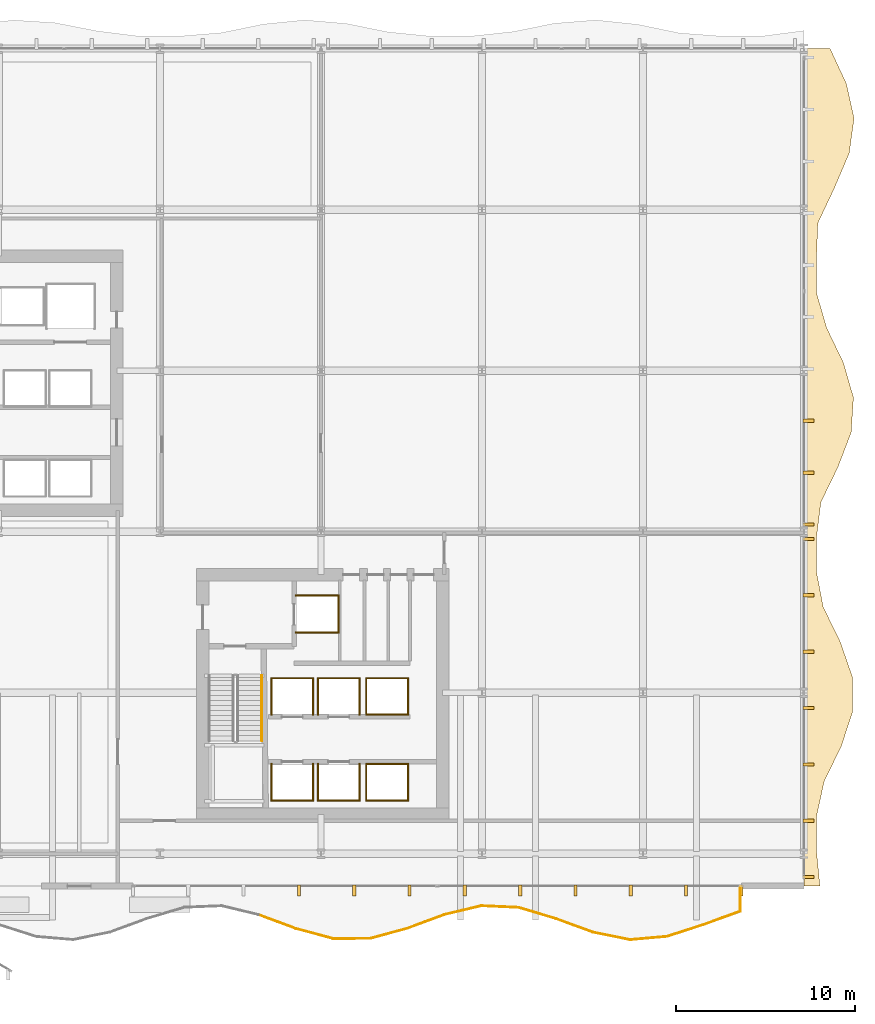
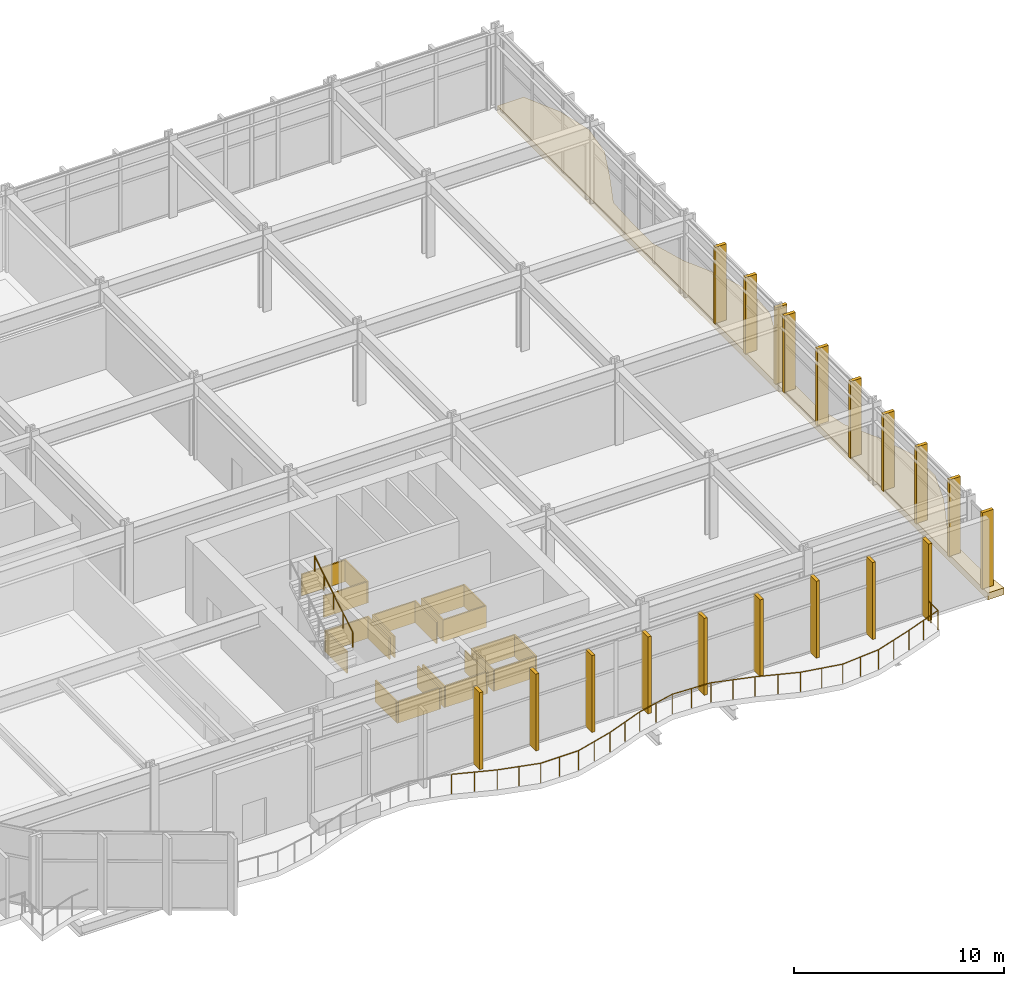
# One storey, part 26 of 29: 43 coverings, 15 railings.
"""IFC4 building model written with IfcOpenShell, lengths in metres."""

from ifc_helpers import new_model, si_unit, direction, frame, origin, origin_2d, place, context, subcontext, project, spatial, polyline, rectangle, circle, outline, extrude, material, layer, layer_set, type_object, element, save


model = new_model("IFC4")

# Units and contexts
model_context = context("Model", 3, precision=1e-05, world=origin(), true_north=direction((0.0, 1.0)))
body_context = subcontext(model_context, "Body", "Model", "MODEL_VIEW")
ifc_project = project(units=[si_unit("LENGTHUNIT", "METRE"), si_unit("AREAUNIT", "SQUARE_METRE"), si_unit("VOLUMEUNIT", "CUBIC_METRE"), si_unit("PLANEANGLEUNIT", "RADIAN"), si_unit("MASSUNIT", "GRAM", prefix="KILO")], contexts=[model_context])

# Site, building, storey
site_placement = place(None, origin())
site = spatial("IfcSite", under=ifc_project, at=site_placement, CompositionType="ELEMENT")
building_placement = place(site_placement, origin())
building = spatial("IfcBuilding", under=site, at=building_placement, Name="Solvaryn Broadcast Tower", CompositionType="ELEMENT")
storey_placement = place(building_placement, frame((0.0, 0.0, 21.199951171875)))
storey = spatial("IfcBuildingStorey", under=building, at=storey_placement, Name="L04", CompositionType="ELEMENT", Elevation=21.199951171875)

# Coverings
ifc_material_1 = material(Name="Fire-Rated Gypsum Shaftwall Liner", Category="concrete")
ifc_layer_1 = layer(ifc_material_1, 0.080078125)
ifc_layer_set_1 = layer_set([ifc_layer_1], Name="CV-SHAFT-LINER")
covering_type_1 = type_object("IfcCoveringType", Name="CV-SHAFT-LINER", PredefinedType="CLADDING", material=ifc_layer_set_1)
for number, where, z_axis, x_axis, name in (
    (1, (35.800048828125, 23.43994140625, 0.0), (0.0, 0.0, 1.0), (1.0, 0.0, 0.0), "L04 FL2 Hoistway Shaft Liner North"),
    (2, (35.800048828125, 21.360107421875, 0.0), (0.0, 0.0, 1.0), (1.0, 0.0, 0.0), "L04 FL2 Hoistway Shaft Liner South"),
):
    element("IfcCovering", number, at=place(storey_placement, frame(where, z_axis=z_axis, x_axis=x_axis)), inside=storey, type_object=covering_type_1, Name=name, PredefinedType="CLADDING", context=body_context, shape_type="SweptSolid", body=[
        extrude(rectangle(XDim=2.4599609375, YDim=0.080078125, at=origin_2d()), origin(), (0.0, 0.0, 1.0), 1.25),
    ])
covering_1_placement = place(storey_placement, frame((36.989990234375, 22.39990234375, 0.0), z_axis=(0.0, 0.0, 1.0), x_axis=(1.0, 0.0, 0.0)))
element("IfcCovering", 3, at=covering_1_placement, inside=storey, type_object=covering_type_1, Name="L04 FL2 Hoistway Shaft Liner East", PredefinedType="CLADDING", context=body_context, shape_type="SweptSolid", body=[
    extrude(rectangle(XDim=0.080078125, YDim=2.159912109375, at=origin_2d()), origin(), (0.0, 0.0, 1.0), 1.25),
])
covering_2_placement = place(storey_placement, frame((34.39990234375, 11.985107421875, 0.0), z_axis=(0.0, 0.0, 1.0), x_axis=(1.0, 0.0, 0.0)))
element("IfcCovering", 4, at=covering_2_placement, inside=storey, type_object=covering_type_1, Name="L04 PL1 Hoistway Shaft Liner South", PredefinedType="CLADDING", context=body_context, shape_type="SweptSolid", body=[
    extrude(rectangle(XDim=2.409912109375, YDim=0.080078125, at=origin_2d()), origin(), (0.0, 0.0, 1.0), 1.25),
])
for number, where, z_axis, x_axis, name in (
    (5, (35.56494140625, 13.0, 0.0), (0.0, 0.0, 1.0), (1.0, 0.0, 0.0), "L04 PL1 Hoistway Shaft Liner East"),
    (6, (33.235107421875, 13.0, 0.0), (0.0, 0.0, 1.0), (1.0, 0.0, 0.0), "L04 PL1 Hoistway Shaft Liner West"),
):
    element("IfcCovering", number, at=place(storey_placement, frame(where, z_axis=z_axis, x_axis=x_axis)), inside=storey, type_object=covering_type_1, Name=name, PredefinedType="CLADDING", context=body_context, shape_type="SweptSolid", body=[
        extrude(rectangle(XDim=0.080078125, YDim=2.110107421875, at=origin_2d()), origin(), (0.0, 0.0, 1.0), 1.25),
    ])
covering_3_placement = place(storey_placement, frame((37.0, 11.985107421875, 0.0), z_axis=(0.0, 0.0, 1.0), x_axis=(1.0, 0.0, 0.0)))
element("IfcCovering", 7, at=covering_3_placement, inside=storey, type_object=covering_type_1, Name="L04 PL2 Hoistway Shaft Liner South", PredefinedType="CLADDING", context=body_context, shape_type="SweptSolid", body=[
    extrude(rectangle(XDim=2.409912109375, YDim=0.080078125, at=origin_2d()), origin(), (0.0, 0.0, 1.0), 1.25),
])
for number, where, z_axis, x_axis, name in (
    (8, (38.1650390625, 13.0, 0.0), (0.0, 0.0, 1.0), (1.0, 0.0, 0.0), "L04 PL2 Hoistway Shaft Liner East"),
    (9, (35.8349609375, 13.0, 0.0), (0.0, 0.0, 1.0), (1.0, 0.0, 0.0), "L04 PL2 Hoistway Shaft Liner West"),
):
    element("IfcCovering", number, at=place(storey_placement, frame(where, z_axis=z_axis, x_axis=x_axis)), inside=storey, type_object=covering_type_1, Name=name, PredefinedType="CLADDING", context=body_context, shape_type="SweptSolid", body=[
        extrude(rectangle(XDim=0.080078125, YDim=2.110107421875, at=origin_2d()), origin(), (0.0, 0.0, 1.0), 1.25),
    ])
covering_4_placement = place(storey_placement, frame((34.39990234375, 18.81494140625, 0.0), z_axis=(0.0, 0.0, 1.0), x_axis=(1.0, 0.0, 0.0)))
element("IfcCovering", 10, at=covering_4_placement, inside=storey, type_object=covering_type_1, Name="L04 PL3 Hoistway Shaft Liner North", PredefinedType="CLADDING", context=body_context, shape_type="SweptSolid", body=[
    extrude(rectangle(XDim=2.409912109375, YDim=0.080078125, at=origin_2d()), origin(), (0.0, 0.0, 1.0), 1.25),
])
for number, where, z_axis, x_axis, name in (
    (11, (35.56494140625, 17.800048828125, 0.0), (0.0, 0.0, 1.0), (1.0, 0.0, 0.0), "L04 PL3 Hoistway Shaft Liner East"),
    (12, (33.235107421875, 17.800048828125, 0.0), (0.0, 0.0, 1.0), (1.0, 0.0, 0.0), "L04 PL3 Hoistway Shaft Liner West"),
):
    element("IfcCovering", number, at=place(storey_placement, frame(where, z_axis=z_axis, x_axis=x_axis)), inside=storey, type_object=covering_type_1, Name=name, PredefinedType="CLADDING", context=body_context, shape_type="SweptSolid", body=[
        extrude(rectangle(XDim=0.080078125, YDim=2.110107421875, at=origin_2d()), origin(), (0.0, 0.0, 1.0), 1.25),
    ])
covering_5_placement = place(storey_placement, frame((37.0, 18.81494140625, 0.0), z_axis=(0.0, 0.0, 1.0), x_axis=(1.0, 0.0, 0.0)))
element("IfcCovering", 13, at=covering_5_placement, inside=storey, type_object=covering_type_1, Name="L04 PL4 Hoistway Shaft Liner North", PredefinedType="CLADDING", context=body_context, shape_type="SweptSolid", body=[
    extrude(rectangle(XDim=2.409912109375, YDim=0.080078125, at=origin_2d()), origin(), (0.0, 0.0, 1.0), 1.25),
])
for number, where, z_axis, x_axis, name in (
    (14, (38.1650390625, 17.800048828125, 0.0), (0.0, 0.0, 1.0), (1.0, 0.0, 0.0), "L04 PL4 Hoistway Shaft Liner East"),
    (15, (35.8349609375, 17.800048828125, 0.0), (0.0, 0.0, 1.0), (1.0, 0.0, 0.0), "L04 PL4 Hoistway Shaft Liner West"),
):
    element("IfcCovering", number, at=place(storey_placement, frame(where, z_axis=z_axis, x_axis=x_axis)), inside=storey, type_object=covering_type_1, Name=name, PredefinedType="CLADDING", context=body_context, shape_type="SweptSolid", body=[
        extrude(rectangle(XDim=0.080078125, YDim=2.110107421875, at=origin_2d()), origin(), (0.0, 0.0, 1.0), 1.25),
    ])
for number, where, z_axis, x_axis, name in (
    (16, (39.699951171875, 14.014892578125, 0.0), (0.0, 0.0, 1.0), (1.0, 0.0, 0.0), "L04 PM1 Hoistway Shaft Liner North"),
    (17, (39.699951171875, 11.985107421875, 0.0), (0.0, 0.0, 1.0), (1.0, 0.0, 0.0), "L04 PM1 Hoistway Shaft Liner South"),
):
    element("IfcCovering", number, at=place(storey_placement, frame(where, z_axis=z_axis, x_axis=x_axis)), inside=storey, type_object=covering_type_1, Name=name, PredefinedType="CLADDING", context=body_context, shape_type="SweptSolid", body=[
        extrude(rectangle(XDim=2.409912109375, YDim=0.080078125, at=origin_2d()), origin(), (0.0, 0.0, 1.0), 1.25),
    ])
for number, where, z_axis, x_axis, name in (
    (18, (40.864990234375, 13.0, 0.0), (0.0, 0.0, 1.0), (1.0, 0.0, 0.0), "L04 PM1 Hoistway Shaft Liner East"),
    (19, (38.534912109375, 13.0, 0.0), (0.0, 0.0, 1.0), (1.0, 0.0, 0.0), "L04 PM1 Hoistway Shaft Liner West"),
):
    element("IfcCovering", number, at=place(storey_placement, frame(where, z_axis=z_axis, x_axis=x_axis)), inside=storey, type_object=covering_type_1, Name=name, PredefinedType="CLADDING", context=body_context, shape_type="SweptSolid", body=[
        extrude(rectangle(XDim=0.080078125, YDim=2.110107421875, at=origin_2d()), origin(), (0.0, 0.0, 1.0), 1.25),
    ])
for number, where, z_axis, x_axis, name in (
    (20, (39.699951171875, 18.81494140625, 0.0), (0.0, 0.0, 1.0), (1.0, 0.0, 0.0), "L04 PM2 Hoistway Shaft Liner North"),
    (21, (39.699951171875, 16.784912109375, 0.0), (0.0, 0.0, 1.0), (1.0, 0.0, 0.0), "L04 PM2 Hoistway Shaft Liner South"),
):
    element("IfcCovering", number, at=place(storey_placement, frame(where, z_axis=z_axis, x_axis=x_axis)), inside=storey, type_object=covering_type_1, Name=name, PredefinedType="CLADDING", context=body_context, shape_type="SweptSolid", body=[
        extrude(rectangle(XDim=2.409912109375, YDim=0.080078125, at=origin_2d()), origin(), (0.0, 0.0, 1.0), 1.25),
    ])
for number, where, z_axis, x_axis, name in (
    (22, (40.864990234375, 17.800048828125, 0.0), (0.0, 0.0, 1.0), (1.0, 0.0, 0.0), "L04 PM2 Hoistway Shaft Liner East"),
    (23, (38.534912109375, 17.800048828125, 0.0), (0.0, 0.0, 1.0), (1.0, 0.0, 0.0), "L04 PM2 Hoistway Shaft Liner West"),
):
    element("IfcCovering", number, at=place(storey_placement, frame(where, z_axis=z_axis, x_axis=x_axis)), inside=storey, type_object=covering_type_1, Name=name, PredefinedType="CLADDING", context=body_context, shape_type="SweptSolid", body=[
        extrude(rectangle(XDim=0.080078125, YDim=2.110107421875, at=origin_2d()), origin(), (0.0, 0.0, 1.0), 1.25),
    ])
ifc_material_2 = material(Name="Extruded Architectural Terracotta Fin", Category="masonry")
ifc_layer_2 = layer(ifc_material_2, 0.179931640625)
ifc_layer_set_2 = layer_set([ifc_layer_2], Name="CV-TC-FIN")
covering_type_2 = type_object("IfcCoveringType", Name="CV-TC-FIN", PredefinedType="USERDEFINED", material=ifc_layer_set_2)
for number, where, z_axis, x_axis, name in (
    (24, (59.5, 6.949951171875, 0.0), (0.0, 0.0, 1.0), (1.0, 0.0, 0.0), "L04 Terracotta Vertical Fin FIN-POD-L04-S1-00"),
    (25, (56.4091796875, 6.949951171875, 0.0), (0.0, 0.0, 1.0), (1.0, 0.0, 0.0), "L04 Terracotta Vertical Fin FIN-POD-L04-S1-01"),
    (26, (53.318115234375, 6.949951171875, 0.0), (0.0, 0.0, 1.0), (1.0, 0.0, 0.0), "L04 Terracotta Vertical Fin FIN-POD-L04-S1-02"),
    (27, (50.227294921875, 6.949951171875, 0.0), (0.0, 0.0, 1.0), (1.0, 0.0, 0.0), "L04 Terracotta Vertical Fin FIN-POD-L04-S1-03"),
    (28, (47.136474609375, 6.949951171875, 0.0), (0.0, 0.0, 1.0), (1.0, 0.0, 0.0), "L04 Terracotta Vertical Fin FIN-POD-L04-S1-04"),
    (29, (44.04541015625, 6.949951171875, 0.0), (0.0, 0.0, 1.0), (1.0, 0.0, 0.0), "L04 Terracotta Vertical Fin FIN-POD-L04-S1-05"),
    (30, (40.95458984375, 6.949951171875, 0.0), (0.0, 0.0, 1.0), (1.0, 0.0, 0.0), "L04 Terracotta Vertical Fin FIN-POD-L04-S1-06"),
    (31, (37.863525390625, 6.949951171875, 0.0), (0.0, 0.0, 1.0), (1.0, 0.0, 0.0), "L04 Terracotta Vertical Fin FIN-POD-L04-S1-07"),
    (32, (34.772705078125, 6.949951171875, 0.0), (0.0, 0.0, 1.0), (1.0, 0.0, 0.0), "L04 Terracotta Vertical Fin FIN-POD-L04-S1-08"),
):
    element("IfcCovering", number, at=place(storey_placement, frame(where, z_axis=z_axis, x_axis=x_axis)), inside=storey, type_object=covering_type_2, Name=name, ObjectType="FIN", PredefinedType="USERDEFINED", context=body_context, shape_type="SweptSolid", body=[
        extrude(rectangle(XDim=0.179931640625, YDim=0.6201171875, at=origin_2d()), origin(), (0.0, 0.0, 1.0), 4.47998046875),
    ])
for number, where, z_axis, x_axis, name in (
    (33, (63.25, 33.199951171875, 0.0), (0.0, 0.0, 1.0), (1.0, 0.0, 0.0), "L04 Terracotta Vertical Fin FIN-POD-L04-E1-07"),
    (34, (63.25, 30.300048828125, 0.0), (0.0, 0.0, 1.0), (1.0, 0.0, 0.0), "L04 Terracotta Vertical Fin FIN-POD-L04-E1-08"),
    (35, (63.25, 27.39990234375, 0.0), (0.0, 0.0, 1.0), (1.0, 0.0, 0.0), "L04 Terracotta Vertical Fin FIN-POD-L04-E1-09"),
    (36, (63.25, 26.60009765625, 0.0), (0.0, 0.0, 1.0), (1.0, 0.0, 0.0), "L04 Terracotta Vertical Fin FIN-POD-L04-E2-00"),
    (37, (63.25, 23.449951171875, 0.0), (0.0, 0.0, 1.0), (1.0, 0.0, 0.0), "L04 Terracotta Vertical Fin FIN-POD-L04-E2-01"),
    (38, (63.25, 20.300048828125, 0.0), (0.0, 0.0, 1.0), (1.0, 0.0, 0.0), "L04 Terracotta Vertical Fin FIN-POD-L04-E2-02"),
    (39, (63.25, 17.14990234375, 0.0), (0.0, 0.0, 1.0), (1.0, 0.0, 0.0), "L04 Terracotta Vertical Fin FIN-POD-L04-E2-03"),
    (40, (63.25, 14.0, 0.0), (0.0, 0.0, 1.0), (1.0, 0.0, 0.0), "L04 Terracotta Vertical Fin FIN-POD-L04-E2-04"),
    (41, (63.25, 10.85009765625, 0.0), (0.0, 0.0, 1.0), (1.0, 0.0, 0.0), "L04 Terracotta Vertical Fin FIN-POD-L04-E2-05"),
    (42, (63.25, 7.699951171875, 0.0), (0.0, 0.0, 1.0), (1.0, 0.0, 0.0), "L04 Terracotta Vertical Fin FIN-POD-L04-E2-06"),
):
    element("IfcCovering", number, at=place(storey_placement, frame(where, z_axis=z_axis, x_axis=x_axis)), inside=storey, type_object=covering_type_2, Name=name, ObjectType="FIN", PredefinedType="USERDEFINED", context=body_context, shape_type="SweptSolid", body=[
        extrude(rectangle(XDim=0.6201171875, YDim=0.179931640625, at=origin_2d()), origin(), (0.0, 0.0, 1.0), 4.47998046875),
    ])
ifc_material_3 = material(Name="Sculpted Architectural Terracotta Wave Fascia", Category="masonry")
ifc_layer_3 = layer(ifc_material_3, 0.340087890625)
ifc_layer_set_3 = layer_set([ifc_layer_3], Name="CV-WAVE-TRAY")
covering_type_3 = type_object("IfcCoveringType", Name="CV-WAVE-TRAY", PredefinedType="CLADDING", material=ifc_layer_set_3)
covering_6_placement = place(storey_placement, frame((0.0, 0.0, -0.35986328125)))
element("IfcCovering", 43, at=covering_6_placement, inside=storey, type_object=covering_type_3, Name="L04 Spreading Wave Tray Apron E", PredefinedType="CLADDING", context=body_context, shape_type="SweptSolid", body=[
    extrude(outline(polyline([(63.89208984375, 7.199951171875), (63.699951171875, 9.14990234375), (63.699951171875, 11.10009765625), (64.1279296875, 13.050048828125), (65.0791015625, 15.0), (65.722900390625, 16.949951171875), (65.700927734375, 18.89990234375), (65.02587890625, 20.85009765625), (64.072998046875, 22.800048828125), (63.699951171875, 24.75), (63.699951171875, 26.699951171875), (63.944091796875, 28.64990234375), (64.89208984375, 30.60009765625), (65.637939453125, 32.550048828125), (65.76611328125, 34.5), (65.202880859375, 36.449951171875), (64.264892578125, 38.39990234375), (63.699951171875, 40.35009765625), (63.699951171875, 42.300048828125), (63.77392578125, 44.25), (64.696044921875, 46.199951171875), (65.52587890625, 48.14990234375), (65.800048828125, 50.10009765625), (65.364013671875, 52.050048828125), (64.462890625, 54.0), (63.0, 54.0), (63.0, 52.050048828125), (63.0, 50.10009765625), (63.0, 48.14990234375), (63.0, 46.199951171875), (63.0, 44.25), (63.0, 42.300048828125), (63.0, 40.35009765625), (63.0, 38.39990234375), (63.0, 36.449951171875), (63.0, 34.5), (63.0, 32.550048828125), (63.0, 30.60009765625), (63.0, 28.64990234375), (63.0, 26.699951171875), (63.0, 24.75), (63.0, 22.800048828125), (63.0, 20.85009765625), (63.0, 18.89990234375), (63.0, 16.949951171875), (63.0, 15.0), (63.0, 13.050048828125), (63.0, 11.10009765625), (63.0, 9.14990234375), (63.0, 7.199951171875), (63.89208984375, 7.199951171875)])), origin(), (0.0, 0.0, 1.0), 0.39990234375),
])

# Railings
ifc_material_4 = material(Name="Brushed Stainless Steel Tubular Handrail", Category="steel")
railing_type_1 = type_object("IfcRailingType", Name="RL-STAIR-HANDRAIL", PredefinedType="HANDRAIL", material=ifc_material_4)
railing_1_placement = place(storey_placement, frame((32.699951171875, 15.320068359375, 2.571533203125)))
element("IfcRailing", 44, at=railing_1_placement, inside=storey, type_object=railing_type_1, Name="L04 ST3 stair handrail 2", PredefinedType="HANDRAIL", context=body_context, shape_type="SweptSolid", body=[
    extrude(circle(Radius=0.02392578125, at=origin_2d()), frame((0.0, 0.0, 0.8759765625), z_axis=(0.0, 0.852850264322, 0.5221555579), x_axis=(-1.0, 0.0, 0.0)), (0.0, 0.0, 1.0), 4.267822265625),
    extrude(circle(Radius=0.02099609375, at=origin_2d()), origin(), (0.0, 0.0, 1.0), 0.851806640625),
    extrude(circle(Radius=0.02099609375, at=origin_2d()), frame((0.0, 0.909912109375, 0.55712890625)), (0.0, 0.0, 1.0), 0.851806640625),
    extrude(circle(Radius=0.02099609375, at=origin_2d()), frame((0.0, 1.81982421875, 1.1142578125)), (0.0, 0.0, 1.0), 0.851806640625),
    extrude(circle(Radius=0.02099609375, at=origin_2d()), frame((0.0, 2.72998046875, 1.67138671875)), (0.0, 0.0, 1.0), 0.851806640625),
    extrude(circle(Radius=0.02099609375, at=origin_2d()), frame((0.0, 3.639892578125, 2.228515625)), (0.0, 0.0, 1.0), 0.851806640625),
])
ifc_material_5 = material(Name="Stainless Steel and Laminated Glass Guard", Category="steel")
railing_type_2 = type_object("IfcRailingType", Name="RL-TER-1150", PredefinedType="BALUSTRADE", material=ifc_material_5)
railing_2_placement = place(storey_placement, frame((32.52490234375, 5.593994140625, 0.0)))
element("IfcRailing", 45, at=railing_2_placement, inside=storey, type_object=railing_type_2, Name="L04 Terrace Guard TS04S-13", PredefinedType="BALUSTRADE", context=body_context, shape_type="SweptSolid", body=[
    extrude(circle(Radius=0.02392578125, at=origin_2d()), frame((0.0, 0.0, 1.1259765625), z_axis=(0.937322393828, -0.348463384058, 0.0), x_axis=(0.348463384058, 0.937322393828, 0.0)), (0.0, 0.0, 1.0), 2.2138671875),
    extrude(circle(Radius=0.02099609375, at=origin_2d()), origin(), (0.0, 0.0, 1.0), 1.101806640625),
    extrude(circle(Radius=0.02099609375, at=origin_2d()), frame((1.03759765625, -0.3857421875, 0.0)), (0.0, 0.0, 1.0), 1.101806640625),
    extrude(circle(Radius=0.02099609375, at=origin_2d()), frame((2.0751953125, -0.771484375, 0.0)), (0.0, 0.0, 1.0), 1.101806640625),
])
railing_3_placement = place(storey_placement, frame((34.60009765625, 4.822509765625, 0.0)))
element("IfcRailing", 46, at=railing_3_placement, inside=storey, type_object=railing_type_2, Name="L04 Terrace Guard TS04S-14", PredefinedType="BALUSTRADE", context=body_context, shape_type="SweptSolid", body=[
    extrude(circle(Radius=0.02392578125, at=origin_2d()), frame((0.0, 0.0, 1.1259765625), z_axis=(0.96550708603, -0.260376778583, 0.0), x_axis=(0.260376778583, 0.96550708603, 0.0)), (0.0, 0.0, 1.0), 2.149169921875),
    extrude(circle(Radius=0.02099609375, at=origin_2d()), origin(), (0.0, 0.0, 1.0), 1.101806640625),
    extrude(circle(Radius=0.02099609375, at=origin_2d()), frame((1.03759765625, -0.27978515625, 0.0)), (0.0, 0.0, 1.0), 1.101806640625),
    extrude(circle(Radius=0.02099609375, at=origin_2d()), frame((2.074951171875, -0.5595703125, 0.0)), (0.0, 0.0, 1.0), 1.101806640625),
])
railing_4_placement = place(storey_placement, frame((36.675048828125, 4.262939453125, 0.0)))
element("IfcRailing", 47, at=railing_4_placement, inside=storey, type_object=railing_type_2, Name="L04 Terrace Guard TS04S-15", PredefinedType="BALUSTRADE", context=body_context, shape_type="SweptSolid", body=[
    extrude(circle(Radius=0.02392578125, at=origin_2d()), frame((0.0, 0.0, 1.1259765625), z_axis=(0.999998442544, 0.00176491077, 0.0), x_axis=(-0.00176491077, 0.999998442544, 0.0)), (0.0, 0.0, 1.0), 2.074951171875),
    extrude(circle(Radius=0.02099609375, at=origin_2d()), origin(), (0.0, 0.0, 1.0), 1.101806640625),
    extrude(circle(Radius=0.02099609375, at=origin_2d()), frame((1.03759765625, 0.001953125, 0.0)), (0.0, 0.0, 1.0), 1.101806640625),
    extrude(circle(Radius=0.02099609375, at=origin_2d()), frame((2.074951171875, 0.003662109375, 0.0)), (0.0, 0.0, 1.0), 1.101806640625),
])
railing_5_placement = place(storey_placement, frame((38.75, 4.2666015625, 0.0)))
element("IfcRailing", 48, at=railing_5_placement, inside=storey, type_object=railing_type_2, Name="L04 Terrace Guard TS04S-16", PredefinedType="BALUSTRADE", context=body_context, shape_type="SweptSolid", body=[
    extrude(circle(Radius=0.02392578125, at=origin_2d()), frame((0.0, 0.0, 1.1259765625), z_axis=(0.964876387741, 0.262704313594, 0.0), x_axis=(-0.262704313594, 0.964876387741, 0.0)), (0.0, 0.0, 1.0), 2.150390625),
    extrude(circle(Radius=0.02099609375, at=origin_2d()), origin(), (0.0, 0.0, 1.0), 1.101806640625),
    extrude(circle(Radius=0.02099609375, at=origin_2d()), frame((1.03759765625, 0.282470703125, 0.0)), (0.0, 0.0, 1.0), 1.101806640625),
    extrude(circle(Radius=0.02099609375, at=origin_2d()), frame((2.074951171875, 0.56494140625, 0.0)), (0.0, 0.0, 1.0), 1.101806640625),
])
railing_6_placement = place(storey_placement, frame((40.824951171875, 4.83154296875, 0.0)))
element("IfcRailing", 49, at=railing_6_placement, inside=storey, type_object=railing_type_2, Name="L04 Terrace Guard TS04S-17", PredefinedType="BALUSTRADE", context=body_context, shape_type="SweptSolid", body=[
    extrude(circle(Radius=0.02392578125, at=origin_2d()), frame((0.0, 0.0, 1.1259765625), z_axis=(0.93738103644, 0.348305602198, 0.0), x_axis=(-0.348305602198, 0.93738103644, 0.0)), (0.0, 0.0, 1.0), 2.213623046875),
    extrude(circle(Radius=0.02099609375, at=origin_2d()), origin(), (0.0, 0.0, 1.0), 1.101806640625),
    extrude(circle(Radius=0.02099609375, at=origin_2d()), frame((1.03759765625, 0.385498046875, 0.0)), (0.0, 0.0, 1.0), 1.101806640625),
    extrude(circle(Radius=0.02099609375, at=origin_2d()), frame((2.074951171875, 0.77099609375, 0.0)), (0.0, 0.0, 1.0), 1.101806640625),
])
railing_7_placement = place(storey_placement, frame((42.89990234375, 5.6025390625, 0.0)))
element("IfcRailing", 50, at=railing_7_placement, inside=storey, type_object=railing_type_2, Name="L04 Terrace Guard TS04S-18", PredefinedType="BALUSTRADE", context=body_context, shape_type="SweptSolid", body=[
    extrude(circle(Radius=0.02392578125, at=origin_2d()), frame((0.0, 0.0, 1.1259765625), z_axis=(0.972904375527, 0.231207863361, 0.0), x_axis=(-0.231207863361, 0.972904375527, 0.0)), (0.0, 0.0, 1.0), 2.133056640625),
    extrude(circle(Radius=0.02099609375, at=origin_2d()), origin(), (0.0, 0.0, 1.0), 1.101806640625),
    extrude(circle(Radius=0.02099609375, at=origin_2d()), frame((1.03759765625, 0.24658203125, 0.0)), (0.0, 0.0, 1.0), 1.101806640625),
    extrude(circle(Radius=0.02099609375, at=origin_2d()), frame((2.0751953125, 0.4931640625, 0.0)), (0.0, 0.0, 1.0), 1.101806640625),
])
railing_8_placement = place(storey_placement, frame((44.97509765625, 6.095703125, 0.0)))
element("IfcRailing", 51, at=railing_8_placement, inside=storey, type_object=railing_type_2, Name="L04 Terrace Guard TS04S-19", PredefinedType="BALUSTRADE", context=body_context, shape_type="SweptSolid", body=[
    extrude(circle(Radius=0.02392578125, at=origin_2d()), frame((0.0, 0.0, 1.1259765625), z_axis=(0.998964901779, -0.045487635838, 0.0), x_axis=(0.045487635838, 0.998964901779, 0.0)), (0.0, 0.0, 1.0), 2.0771484375),
    extrude(circle(Radius=0.02099609375, at=origin_2d()), origin(), (0.0, 0.0, 1.0), 1.101806640625),
    extrude(circle(Radius=0.02099609375, at=origin_2d()), frame((1.03759765625, -0.04736328125, 0.0)), (0.0, 0.0, 1.0), 1.101806640625),
    extrude(circle(Radius=0.02099609375, at=origin_2d()), frame((2.074951171875, -0.094482421875, 0.0)), (0.0, 0.0, 1.0), 1.101806640625),
])
railing_9_placement = place(storey_placement, frame((47.050048828125, 6.001220703125, 0.0)))
element("IfcRailing", 52, at=railing_9_placement, inside=storey, type_object=railing_type_2, Name="L04 Terrace Guard TS04S-20", PredefinedType="BALUSTRADE", context=body_context, shape_type="SweptSolid", body=[
    extrude(circle(Radius=0.02392578125, at=origin_2d()), frame((0.0, 0.0, 1.1259765625), z_axis=(0.957785954099, -0.287482288376, 0.0), x_axis=(0.287482288376, 0.957785954099, 0.0)), (0.0, 0.0, 1.0), 2.16650390625),
    extrude(circle(Radius=0.02099609375, at=origin_2d()), origin(), (0.0, 0.0, 1.0), 1.101806640625),
    extrude(circle(Radius=0.02099609375, at=origin_2d()), frame((1.03759765625, -0.3115234375, 0.0)), (0.0, 0.0, 1.0), 1.101806640625),
    extrude(circle(Radius=0.02099609375, at=origin_2d()), frame((2.074951171875, -0.622802734375, 0.0)), (0.0, 0.0, 1.0), 1.101806640625),
])
railing_10_placement = place(storey_placement, frame((49.125, 5.37841796875, 0.0)))
element("IfcRailing", 53, at=railing_10_placement, inside=storey, type_object=railing_type_2, Name="L04 Terrace Guard TS04S-21", PredefinedType="BALUSTRADE", context=body_context, shape_type="SweptSolid", body=[
    extrude(circle(Radius=0.02392578125, at=origin_2d()), frame((0.0, 0.0, 1.1259765625), z_axis=(0.938994102085, -0.343933243886, 0.0), x_axis=(0.343933243886, 0.938994102085, 0.0)), (0.0, 0.0, 1.0), 2.209716796875),
    extrude(circle(Radius=0.02099609375, at=origin_2d()), origin(), (0.0, 0.0, 1.0), 1.101806640625),
    extrude(circle(Radius=0.02099609375, at=origin_2d()), frame((1.03759765625, -0.3798828125, 0.0)), (0.0, 0.0, 1.0), 1.101806640625),
    extrude(circle(Radius=0.02099609375, at=origin_2d()), frame((2.074951171875, -0.760009765625, 0.0)), (0.0, 0.0, 1.0), 1.101806640625),
])
railing_11_placement = place(storey_placement, frame((51.199951171875, 4.618408203125, 0.0)))
element("IfcRailing", 54, at=railing_11_placement, inside=storey, type_object=railing_type_2, Name="L04 Terrace Guard TS04S-22", PredefinedType="BALUSTRADE", context=body_context, shape_type="SweptSolid", body=[
    extrude(circle(Radius=0.02392578125, at=origin_2d()), frame((0.0, 0.0, 1.1259765625), z_axis=(0.98013013189, -0.198355550871, 0.0), x_axis=(0.198355550871, 0.98013013189, 0.0)), (0.0, 0.0, 1.0), 2.116943359375),
    extrude(circle(Radius=0.02099609375, at=origin_2d()), origin(), (0.0, 0.0, 1.0), 1.101806640625),
    extrude(circle(Radius=0.02099609375, at=origin_2d()), frame((1.03759765625, -0.2099609375, 0.0)), (0.0, 0.0, 1.0), 1.101806640625),
    extrude(circle(Radius=0.02099609375, at=origin_2d()), frame((2.074951171875, -0.419921875, 0.0)), (0.0, 0.0, 1.0), 1.101806640625),
])
railing_12_placement = place(storey_placement, frame((53.27490234375, 4.198486328125, 0.0)))
element("IfcRailing", 55, at=railing_12_placement, inside=storey, type_object=railing_type_2, Name="L04 Terrace Guard TS04S-23", PredefinedType="BALUSTRADE", context=body_context, shape_type="SweptSolid", body=[
    extrude(circle(Radius=0.02392578125, at=origin_2d()), frame((0.0, 0.0, 1.1259765625), z_axis=(0.996088700869, 0.088358927112, 0.0), x_axis=(-0.088358927112, 0.996088700869, 0.0)), (0.0, 0.0, 1.0), 2.083251953125),
    extrude(circle(Radius=0.02099609375, at=origin_2d()), origin(), (0.0, 0.0, 1.0), 1.101806640625),
    extrude(circle(Radius=0.02099609375, at=origin_2d()), frame((1.03759765625, 0.092041015625, 0.0)), (0.0, 0.0, 1.0), 1.101806640625),
    extrude(circle(Radius=0.02099609375, at=origin_2d()), frame((2.0751953125, 0.18408203125, 0.0)), (0.0, 0.0, 1.0), 1.101806640625),
])
railing_13_placement = place(storey_placement, frame((55.35009765625, 4.382568359375, 0.0)))
element("IfcRailing", 56, at=railing_13_placement, inside=storey, type_object=railing_type_2, Name="L04 Terrace Guard TS04S-24", PredefinedType="BALUSTRADE", context=body_context, shape_type="SweptSolid", body=[
    extrude(circle(Radius=0.02392578125, at=origin_2d()), frame((0.0, 0.0, 1.1259765625), z_axis=(0.951302685014, 0.308258335631, 0.0), x_axis=(-0.308258335631, 0.951302685014, 0.0)), (0.0, 0.0, 1.0), 2.18115234375),
    extrude(circle(Radius=0.02099609375, at=origin_2d()), origin(), (0.0, 0.0, 1.0), 1.101806640625),
    extrude(circle(Radius=0.02099609375, at=origin_2d()), frame((1.03759765625, 0.336181640625, 0.0)), (0.0, 0.0, 1.0), 1.101806640625),
    extrude(circle(Radius=0.02099609375, at=origin_2d()), frame((2.074951171875, 0.67236328125, 0.0)), (0.0, 0.0, 1.0), 1.101806640625),
])
railing_14_placement = place(storey_placement, frame((57.425048828125, 5.054931640625, 0.0)))
element("IfcRailing", 57, at=railing_14_placement, inside=storey, type_object=railing_type_2, Name="L04 Terrace Guard TS04S-25", PredefinedType="BALUSTRADE", context=body_context, shape_type="SweptSolid", body=[
    extrude(circle(Radius=0.02392578125, at=origin_2d()), frame((0.0, 0.0, 1.1259765625), z_axis=(0.938953514033, 0.344044035676, 0.0), x_axis=(-0.344044035676, 0.938953514033, 0.0)), (0.0, 0.0, 1.0), 2.14599609375),
    extrude(circle(Radius=0.02099609375, at=origin_2d()), origin(), (0.0, 0.0, 1.0), 1.101806640625),
    extrude(circle(Radius=0.02099609375, at=origin_2d()), frame((1.00732421875, 0.369140625, 0.0)), (0.0, 0.0, 1.0), 1.101806640625),
    extrude(circle(Radius=0.02099609375, at=origin_2d()), frame((2.014892578125, 0.73828125, 0.0)), (0.0, 0.0, 1.0), 1.101806640625),
])
railing_15_placement = place(storey_placement, frame((59.43994140625, 5.793212890625, 0.0)))
element("IfcRailing", 58, at=railing_15_placement, inside=storey, type_object=railing_type_2, Name="L04 Terrace Guard TS04S-26", PredefinedType="BALUSTRADE", context=body_context, shape_type="SweptSolid", body=[
    extrude(circle(Radius=0.02392578125, at=origin_2d()), frame((0.0, 0.0, 1.1259765625), z_axis=(0.0, 1.0, 0.0), x_axis=(-1.0, 0.0, 0.0)), (0.0, 0.0, 1.0), 1.3466796875),
    extrude(circle(Radius=0.02099609375, at=origin_2d()), origin(), (0.0, 0.0, 1.0), 1.101806640625),
    extrude(circle(Radius=0.02099609375, at=origin_2d()), frame((0.0, 0.67333984375, 0.0)), (0.0, 0.0, 1.0), 1.101806640625),
    extrude(circle(Radius=0.02099609375, at=origin_2d()), frame((0.0, 1.3466796875, 0.0)), (0.0, 0.0, 1.0), 1.101806640625),
])

save(model, "model.ifc")
